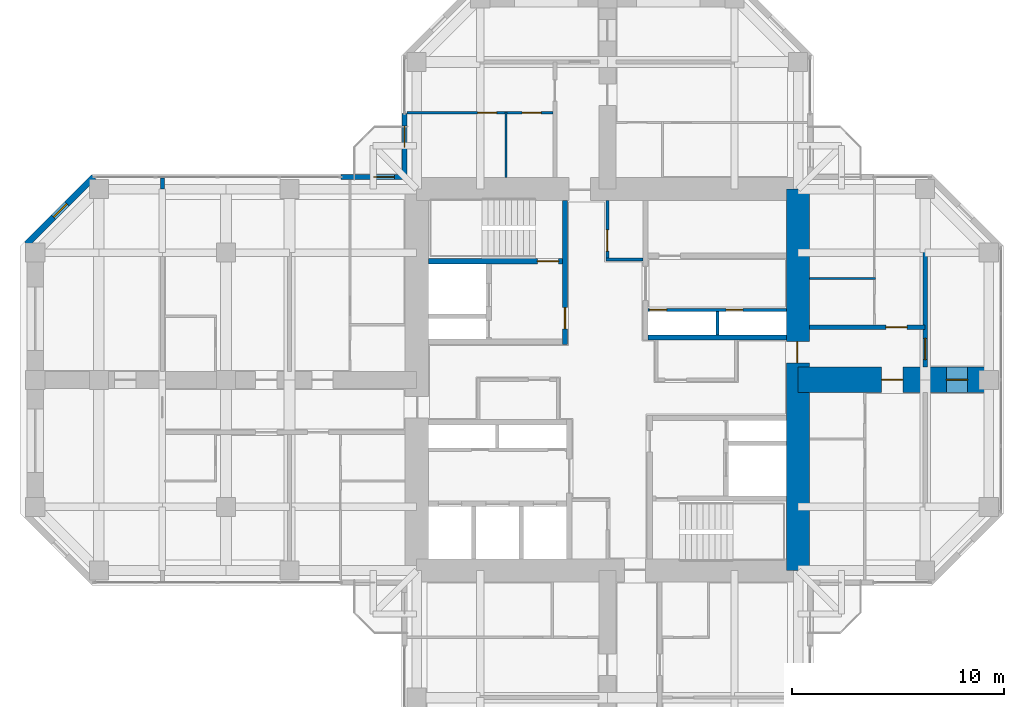
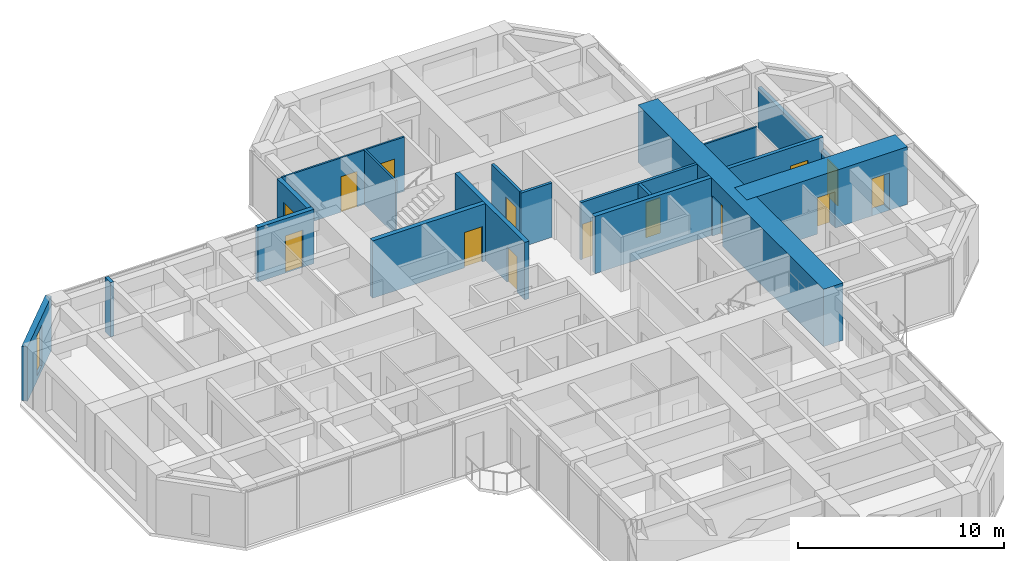
# One storey, part 11 of 14: 18 walls, 14 doors, 1 window, 15 openings.
"""IFC4 building model written with IfcOpenShell, lengths in metres."""

from ifc_helpers import new_model, si_unit, direction, frame, frame_2d, origin, place, context, subcontext, project, spatial, rectangle, hollow_rectangle, extrude, material, layer, layer_set, constituent, constituent_set, type_object, element, fill, save


model = new_model("IFC4")

# Units and contexts
model_context = context("Model", 3, precision=1e-05, world=origin(), true_north=direction((0.0, 1.0)))
body_context = subcontext(model_context, "Body", "Model", "MODEL_VIEW")
ifc_project = project(units=[si_unit("LENGTHUNIT", "METRE"), si_unit("AREAUNIT", "SQUARE_METRE"), si_unit("VOLUMEUNIT", "CUBIC_METRE"), si_unit("PLANEANGLEUNIT", "RADIAN"), si_unit("MASSUNIT", "GRAM", prefix="KILO")], contexts=[model_context])

# Site, building, storey
site_placement = place(None, origin())
site = spatial("IfcSite", under=ifc_project, at=site_placement, CompositionType="ELEMENT")
building_placement = place(site_placement, origin())
building = spatial("IfcBuilding", under=site, at=building_placement, Name="Torre Cruceta", CompositionType="ELEMENT")
storey_placement = place(building_placement, frame((0.0, 0.0, 179.699951171875)))
storey = spatial("IfcBuildingStorey", under=building, at=storey_placement, Name="L44", CompositionType="ELEMENT", Elevation=179.699951171875)

# Wall
ifc_material_1 = material(Name="Water-resistant plasterboard on steel studs", Category="steel")
ifc_layer_1 = layer(ifc_material_1, 0.10009765625)
ifc_layer_set_1 = layer_set([ifc_layer_1], Name="Water-resistant plasterboard on steel studs")
wall_type_1 = type_object("IfcWallType", Name="BATHROOM WALL 100", PredefinedType="PARTITIONING", material=ifc_layer_set_1)
wall_1_placement = place(storey_placement, frame((-4.77490234375, 9.550048828125, 0.0), z_axis=(0.0, 0.0, 1.0), x_axis=(0.0, 1.0, 0.0)))
element("IfcWall", 1, at=wall_1_placement, inside=storey, type_object=wall_type_1, Name="PT4 L44-N-U1LBB", PredefinedType="PARTITIONING", context=body_context, shape_type="SweptSolid", body=[
    extrude(rectangle(XDim=3.099853515625, YDim=0.10009765625, at=frame_2d((1.5498046875, 0.0))), origin(), (0.0, 0.0, 1.0), 3.219970703125),
])

# Wall, openings, doors
wall_2_placement = place(storey_placement, frame((-2.574951171875, 12.60009765625, 0.0), z_axis=(0.0, 0.0, 1.0), x_axis=(-1.0, 0.0, 0.0)))
wall_2 = element("IfcWall", 2, at=wall_2_placement, inside=storey, type_object=wall_type_1, Name="PT4 L44-N-U1LBS", PredefinedType="PARTITIONING", context=body_context, shape_type="SweptSolid", body=[
    extrude(rectangle(XDim=6.8701171875, YDim=0.10009765625, at=frame_2d((3.43505859375, 0.0))), origin(), (0.0, 0.0, 1.0), 3.219970703125),
])
opening_1_placement = place(wall_2_placement, frame((0.550048828125, 0.0, 0.0)))
opening_1 = element("IfcOpeningElement", 3, at=opening_1_placement, cuts=wall_2, Name="Opening D7", PredefinedType="OPENING", context=body_context, shape_type="SweptSolid", body=[
    extrude(rectangle(XDim=0.89990234375, YDim=2.10009765625, at=frame_2d((0.449951171875, 1.050048828125))), frame((0.0, 0.06005859375, 0.0), z_axis=(0.0, -1.0, 0.0), x_axis=(1.0, 0.0, 0.0)), (0.0, 0.0, 1.0), 0.1201171875),
])
opening_2_placement = place(wall_2_placement, frame((2.64990234375, 0.0, 0.0)))
opening_2 = element("IfcOpeningElement", 4, at=opening_2_placement, cuts=wall_2, Name="Opening D7", PredefinedType="OPENING", context=body_context, shape_type="SweptSolid", body=[
    extrude(rectangle(XDim=0.89990234375, YDim=2.10009765625, at=frame_2d((0.449951171875, 1.050048828125))), frame((0.0, 0.06005859375, 0.0), z_axis=(0.0, -1.0, 0.0), x_axis=(1.0, 0.0, 0.0)), (0.0, 0.0, 1.0), 0.1201171875),
])
ifc_material_2 = material(Name="Timber door", Category="wood")
door_type_1 = type_object("IfcDoorType", Name="BATHROOM DOOR 900X2100", OperationType="SINGLE_SWING_LEFT", PredefinedType="DOOR", material=ifc_material_2)
door_1_placement = place(opening_1_placement, origin())
door_1 = element("IfcDoor", 5, at=door_1_placement, inside=storey, type_object=door_type_1, Name="D7 L44-N-U1LBS-D1", OperationType="SINGLE_SWING_LEFT", OverallHeight=2.10009765625, OverallWidth=0.89990234375, PredefinedType="DOOR", context=body_context, shape_type="SweptSolid", body=[
    extrude(rectangle(XDim=0.89990234375, YDim=2.10009765625, at=frame_2d((0.449951171875, 1.050048828125))), frame((0.0, 0.02490234375, 0.0), z_axis=(0.0, -1.0, 0.0), x_axis=(1.0, 0.0, 0.0)), (0.0, 0.0, 1.0), 0.050048828125),
])
fill(opening_1, door_1)
door_2_placement = place(opening_2_placement, origin())
door_2 = element("IfcDoor", 6, at=door_2_placement, inside=storey, type_object=door_type_1, Name="D7 L44-N-U1LBS-D2", OperationType="SINGLE_SWING_LEFT", OverallHeight=2.10009765625, OverallWidth=0.89990234375, PredefinedType="DOOR", context=body_context, shape_type="SweptSolid", body=[
    extrude(rectangle(XDim=0.89990234375, YDim=2.10009765625, at=frame_2d((0.449951171875, 1.050048828125))), frame((0.0, 0.02490234375, 0.0), z_axis=(0.0, -1.0, 0.0), x_axis=(1.0, 0.0, 0.0)), (0.0, 0.0, 1.0), 0.050048828125),
])
fill(opening_2, door_2)

# Walls
wall_3_placement = place(storey_placement, frame((9.550048828125, 4.77490234375, 0.0), z_axis=(0.0, 0.0, 1.0), x_axis=(1.0, 0.0, 0.0)))
element("IfcWall", 7, at=wall_3_placement, inside=storey, type_object=wall_type_1, Name="PT4 L44-E-U1LBB", PredefinedType="PARTITIONING", context=body_context, shape_type="SweptSolid", body=[
    extrude(rectangle(XDim=3.099853515625, YDim=0.10009765625, at=frame_2d((1.5498046875, 0.0))), origin(), (0.0, 0.0, 1.0), 3.219970703125),
])
ifc_material_3 = material(Name="Concrete G60 (fck 60 MPa)", Category="concrete")
ifc_layer_2 = layer(ifc_material_3, 0.25)
ifc_layer_set_2 = layer_set([ifc_layer_2], Name="Concrete G60 (fck 60 MPa)")
wall_type_2 = type_object("IfcWallType", Name="CORE INNER WALL 250 G60", PredefinedType="SHEAR", material=ifc_layer_set_2)
wall_4_placement = place(storey_placement, frame((1.925048828125, 2.0, 0.0), z_axis=(0.0, 0.0, 1.0), x_axis=(1.0, 0.0, 0.0)))
element("IfcWall", 8, at=wall_4_placement, inside=storey, type_object=wall_type_2, Name="CW4 L44 NE-CV", PredefinedType="SHEAR", context=body_context, shape_type="SweptSolid", body=[
    extrude(rectangle(XDim=6.52490234375, YDim=0.25, at=frame_2d((3.262451171875, 0.0))), origin(), (0.0, 0.0, 1.0), 3.400146484375),
])

# Wall, opening, door
wall_5_placement = place(storey_placement, frame((-2.0, 1.675048828125, 0.0), z_axis=(0.0, 0.0, 1.0), x_axis=(0.0, 1.0, 0.0)))
wall_5 = element("IfcWall", 9, at=wall_5_placement, inside=storey, type_object=wall_type_2, Name="CW4 L44 NW-CU", PredefinedType="SHEAR", context=body_context, shape_type="SweptSolid", body=[
    extrude(rectangle(XDim=6.77490234375, YDim=0.25, at=frame_2d((3.387451171875, 0.0))), origin(), (0.0, 0.0, 1.0), 3.400146484375),
])
opening_3_placement = place(wall_5_placement, frame((0.72509765625, 0.0, 0.0)))
opening_3 = element("IfcOpeningElement", 10, at=opening_3_placement, cuts=wall_5, Name="Opening D3", PredefinedType="OPENING", context=body_context, shape_type="SweptSolid", body=[
    extrude(rectangle(XDim=1.0, YDim=2.10009765625, at=frame_2d((0.5, 1.050048828125))), frame((0.0, 0.135009765625, 0.0), z_axis=(0.0, -1.0, 0.0), x_axis=(1.0, 0.0, 0.0)), (0.0, 0.0, 1.0), 0.27001953125),
])
ifc_material_4 = material(Name="Steel DX51D", Category="steel")
ifc_constituent_1 = constituent(ifc_material_4, Name="Leaf and frame")
ifc_material_5 = material(Name="Polyester powder coating", Category="paint")
ifc_constituent_2 = constituent(ifc_material_5, Name="Finish")
ifc_constituent_set_1 = constituent_set(constituents=[ifc_constituent_1, ifc_constituent_2], Name="Steel fire door")
door_type_2 = type_object("IfcDoorType", Name="FIRE DOOR 1000X2100", OperationType="SINGLE_SWING_LEFT", PredefinedType="DOOR", material=ifc_constituent_set_1)
door_3_placement = place(opening_3_placement, origin())
door_3 = element("IfcDoor", 11, at=door_3_placement, inside=storey, type_object=door_type_2, Name="D3 L44 NW-LOBBY", OperationType="SINGLE_SWING_LEFT", OverallHeight=2.10009765625, OverallWidth=1.0, PredefinedType="DOOR", context=body_context, shape_type="SweptSolid", body=[
    extrude(rectangle(XDim=1.0, YDim=2.10009765625, at=frame_2d((0.5, 1.050048828125))), frame((0.0, 0.02490234375, 0.0), z_axis=(0.0, -1.0, 0.0), x_axis=(1.0, 0.0, 0.0)), (0.0, 0.0, 1.0), 0.050048828125),
])
fill(opening_3, door_3)

wall_6_placement = place(storey_placement, frame((-2.125, 5.60009765625, 0.0), z_axis=(0.0, 0.0, 1.0), x_axis=(-1.0, 0.0, 0.0)))
wall_6 = element("IfcWall", 12, at=wall_6_placement, inside=storey, type_object=wall_type_2, Name="CW4 L44 NW-SV", PredefinedType="SHEAR", context=body_context, shape_type="SweptSolid", body=[
    extrude(rectangle(XDim=6.324951171875, YDim=0.25, at=frame_2d((3.16259765625, 0.0))), origin(), (0.0, 0.0, 1.0), 3.400146484375),
])
opening_4_placement = place(wall_6_placement, frame((0.175048828125, 0.0, 0.0)))
opening_4 = element("IfcOpeningElement", 13, at=opening_4_placement, cuts=wall_6, Name="Opening D3", PredefinedType="OPENING", context=body_context, shape_type="SweptSolid", body=[
    extrude(rectangle(XDim=1.0, YDim=2.10009765625, at=frame_2d((0.5, 1.050048828125))), frame((0.0, 0.135009765625, 0.0), z_axis=(0.0, -1.0, 0.0), x_axis=(1.0, 0.0, 0.0)), (0.0, 0.0, 1.0), 0.27001953125),
])
door_4_placement = place(opening_4_placement, frame((1.0, 0.0, 0.0), z_axis=(0.0, 0.0, 1.0), x_axis=(-1.0, 0.0, 0.0)))
door_4 = element("IfcDoor", 14, at=door_4_placement, inside=storey, type_object=door_type_2, Name="D3 L44 NW-STAIR", OperationType="SINGLE_SWING_RIGHT", OverallHeight=2.10009765625, OverallWidth=1.0, PredefinedType="DOOR", context=body_context, shape_type="SweptSolid", body=[
    extrude(rectangle(XDim=1.0, YDim=2.10009765625, at=frame_2d((0.5, 1.050048828125))), frame((0.0, 0.025146484375, 0.0), z_axis=(0.0, -1.0, 0.0), x_axis=(1.0, 0.0, 0.0)), (0.0, 0.0, 1.0), 0.050048828125),
])
fill(opening_4, door_4)

ifc_material_6 = material(Name="Concrete G60 (fck 60 MPa)", Category="concrete")
ifc_layer_3 = layer(ifc_material_6, 1.10009765625)
ifc_layer_set_3 = layer_set([ifc_layer_3], Name="Concrete G60 (fck 60 MPa)")
wall_type_3 = type_object("IfcWallType", Name="CORE WALL 1100 G60", PredefinedType="SHEAR", material=ifc_layer_set_3)
wall_7_placement = place(storey_placement, frame((9.0, -9.0, 0.0), z_axis=(0.0, 0.0, 1.0), x_axis=(0.0, 1.0, 0.0)))
wall_7 = element("IfcWall", 15, at=wall_7_placement, inside=storey, type_object=wall_type_3, Name="CW2 L44 CW-E", PredefinedType="SHEAR", context=body_context, shape_type="SweptSolid", body=[
    extrude(rectangle(XDim=18.0, YDim=1.10009765625, at=frame_2d((9.0, 0.0))), origin(), (0.0, 0.0, 1.0), 3.400146484375),
])
opening_5_placement = place(wall_7_placement, frame((9.800048828125, 0.0, 0.0)))
opening_5 = element("IfcOpeningElement", 16, at=opening_5_placement, cuts=wall_7, Name="Opening D4", PredefinedType="OPENING", context=body_context, shape_type="SweptSolid", body=[
    extrude(rectangle(XDim=1.0, YDim=2.39990234375, at=frame_2d((0.5, 1.199951171875))), frame((0.0, 0.56005859375, 0.0), z_axis=(0.0, -1.0, 0.0), x_axis=(1.0, 0.0, 0.0)), (0.0, 0.0, 1.0), 1.1201171875),
])
ifc_material_7 = material(Name="Steel DX51D", Category="steel")
ifc_constituent_3 = constituent(ifc_material_7, Name="Leaf and frame")
ifc_material_8 = material(Name="Polyester powder coating", Category="paint")
ifc_constituent_4 = constituent(ifc_material_8, Name="Finish")
ifc_constituent_set_2 = constituent_set(constituents=[ifc_constituent_3, ifc_constituent_4], Name="Steel fire door")
door_type_3 = type_object("IfcDoorType", Name="CORE ARM DOOR 1000X2400", OperationType="SINGLE_SWING_RIGHT", PredefinedType="DOOR", material=ifc_constituent_set_2)
door_5_placement = place(opening_5_placement, origin())
door_5 = element("IfcDoor", 17, at=door_5_placement, inside=storey, type_object=door_type_3, Name="D4 L44 CW-E", OperationType="SINGLE_SWING_RIGHT", OverallHeight=2.39990234375, OverallWidth=1.0, PredefinedType="DOOR", context=body_context, shape_type="SweptSolid", body=[
    extrude(rectangle(XDim=1.0, YDim=2.39990234375, at=frame_2d((0.5, 1.199951171875))), frame((0.0, 0.05517578125, 0.0), z_axis=(0.0, -1.0, 0.0), x_axis=(1.0, 0.0, 0.0)), (0.0, 0.0, 1.0), 0.050048828125),
])
fill(opening_5, door_5)

ifc_material_9 = material(Name="Concrete G25 (fck 25 MPa)", Category="concrete")
ifc_layer_4 = layer(ifc_material_9, 0.199951171875)
ifc_layer_set_4 = layer_set([ifc_layer_4], Name="Concrete G25 (fck 25 MPa)")
wall_type_4 = type_object("IfcWallType", Name="CORRIDOR WALL 200", PredefinedType="SOLIDWALL", material=ifc_layer_set_4)
wall_8_placement = place(storey_placement, frame((9.550048828125, 2.47509765625, 0.0), z_axis=(0.0, 0.0, 1.0), x_axis=(1.0, 0.0, 0.0)))
wall_8 = element("IfcWall", 18, at=wall_8_placement, inside=storey, type_object=wall_type_4, Name="PT3 L44-E-CL", PredefinedType="SOLIDWALL", context=body_context, shape_type="SweptSolid", body=[
    extrude(rectangle(XDim=5.449951171875, YDim=0.199951171875, at=frame_2d((2.72509765625, 0.0))), origin(), (0.0, 0.0, 1.0), 3.219970703125),
])
opening_6_placement = place(wall_8_placement, frame((3.60009765625, 0.0, 0.0)))
opening_6 = element("IfcOpeningElement", 19, at=opening_6_placement, cuts=wall_8, Name="Opening D6", PredefinedType="OPENING", context=body_context, shape_type="SweptSolid", body=[
    extrude(rectangle(XDim=1.0, YDim=2.14990234375, at=frame_2d((0.5, 1.074951171875))), frame((0.0, 0.10986328125, 0.0), z_axis=(0.0, -1.0, 0.0), x_axis=(1.0, 0.0, 0.0)), (0.0, 0.0, 1.0), 0.219970703125),
])
ifc_material_10 = material(Name="Timber fire door", Category="wood")
door_type_4 = type_object("IfcDoorType", Name="UNIT ENTRANCE DOOR 1000X2150", OperationType="SINGLE_SWING_LEFT", PredefinedType="DOOR", material=ifc_material_10)
door_6_placement = place(opening_6_placement, origin())
door_6 = element("IfcDoor", 20, at=door_6_placement, inside=storey, type_object=door_type_4, Name="D6 L44-E-CL-D1", OperationType="SINGLE_SWING_LEFT", OverallHeight=2.14990234375, OverallWidth=1.0, PredefinedType="DOOR", context=body_context, shape_type="SweptSolid", body=[
    extrude(rectangle(XDim=1.0, YDim=2.14990234375, at=frame_2d((0.5, 1.074951171875))), frame((0.0, 0.02490234375, 0.0), z_axis=(0.0, -1.0, 0.0), x_axis=(1.0, 0.0, 0.0)), (0.0, 0.0, 1.0), 0.050048828125),
])
fill(opening_6, door_6)

# Wall, opening, window
ifc_material_11 = material(Name="Concrete G30 (fck 30 MPa)", Category="concrete")
ifc_layer_5 = layer(ifc_material_11, 0.300048828125)
ifc_layer_set_5 = layer_set([ifc_layer_5], Name="Concrete G30 (fck 30 MPa)")
wall_type_5 = type_object("IfcWallType", Name="EXPOSED CONCRETE FACADE WALL 300", PredefinedType="SOLIDWALL", material=ifc_layer_set_5)
wall_9_placement = place(storey_placement, frame((-24.236083984375, 9.570068359375, 0.0), z_axis=(0.0, 0.0, 1.0), x_axis=(-0.707079499254, -0.707134062067, 0.0)))
wall_9 = element("IfcWall", 21, at=wall_9_placement, inside=storey, type_object=wall_type_5, Name="EW1 facade wall L44 W chamfer 11", PredefinedType="SOLIDWALL", context=body_context, shape_type="SweptSolid", body=[
    extrude(rectangle(XDim=4.474609375, YDim=0.300048828125, at=frame_2d((2.2373046875, 0.0))), origin(), (0.0, 0.0, 1.0), 3.219970703125),
])
opening_7_placement = place(wall_9_placement, frame((1.787109375, 0.0, 0.300048828125)))
opening_7 = element("IfcOpeningElement", 22, at=opening_7_placement, cuts=wall_9, Name="Opening WN5", PredefinedType="OPENING", context=body_context, shape_type="SweptSolid", body=[
    extrude(rectangle(XDim=0.89990234375, YDim=2.39990234375, at=frame_2d((0.449951171875, 1.199951171875))), frame((0.0, 0.159912109375, 0.0), z_axis=(0.0, -1.0, 0.0), x_axis=(1.0, 0.0, 0.0)), (0.0, 0.0, 1.0), 0.320068359375),
])
ifc_material_12 = material(Name="Aluminium window frame", Category="aluminium")
ifc_constituent_5 = constituent(ifc_material_12, Name="Frame")
ifc_material_13 = material(Name="Laminated insulating glass unit, low-iron clear", Category="glass")
ifc_constituent_6 = constituent(ifc_material_13, Name="Glazing")
ifc_constituent_set_3 = constituent_set(constituents=[ifc_constituent_5, ifc_constituent_6], Name="Aluminium window")
window_type = type_object("IfcWindowType", Name="CHAMFER SLOT WINDOW 900X2400", PartitioningType="SINGLE_PANEL", PredefinedType="WINDOW", material=ifc_constituent_set_3)
window_placement = place(opening_7_placement, origin())
window = element("IfcWindow", 23, at=window_placement, inside=storey, type_object=window_type, Name="WN5 L44 W 1", OverallHeight=2.39990234375, OverallWidth=0.89990234375, PartitioningType="SINGLE_PANEL", PredefinedType="WINDOW", context=body_context, shape_type="SweptSolid", body=[
    extrude(hollow_rectangle(XDim=0.89990234375, YDim=2.39990234375, WallThickness=0.06005859375, at=frame_2d((0.449951171875, 1.199951171875))), frame((0.0, 0.030029296875, 0.0), z_axis=(0.0, -1.0, 0.0), x_axis=(1.0, 0.0, 0.0)), (0.0, 0.0, 1.0), 0.06005859375),
    extrude(rectangle(XDim=0.77880859375, YDim=2.27880859375, at=frame_2d((0.449951171875, 1.199951171875))), frame((0.0, 0.030029296875, 0.0), z_axis=(0.0, -1.0, 0.0), x_axis=(1.0, 0.0, 0.0)), (0.0, 0.0, 1.0), 0.06005859375),
])
fill(opening_7, window)

# Wall, opening, door
ifc_material_14 = material(Name="Plasterboard on steel studs", Category="steel")
ifc_layer_6 = layer(ifc_material_14, 0.14990234375)
ifc_layer_set_6 = layer_set([ifc_layer_6], Name="Plasterboard on steel studs")
wall_type_6 = type_object("IfcWallType", Name="PARTITION 150", PredefinedType="PARTITIONING", material=ifc_layer_set_6)
wall_10_placement = place(storey_placement, frame((0.0, 5.675048828125, 0.0), z_axis=(0.0, 0.0, 1.0), x_axis=(0.0, 1.0, 0.0)))
wall_10 = element("IfcWall", 24, at=wall_10_placement, inside=storey, type_object=wall_type_6, Name="PT1 L44-CORE-LEGN-E-W1", PredefinedType="PARTITIONING", context=body_context, shape_type="SweptSolid", body=[
    extrude(rectangle(XDim=2.77490234375, YDim=0.14990234375, at=frame_2d((1.387451171875, 0.0))), origin(), (0.0, 0.0, 1.0), 3.219970703125),
])
opening_8_placement = place(wall_10_placement, frame((0.39990234375, 0.0, 0.0)))
opening_8 = element("IfcOpeningElement", 25, at=opening_8_placement, cuts=wall_10, Name="Opening D3", PredefinedType="OPENING", context=body_context, shape_type="SweptSolid", body=[
    extrude(rectangle(XDim=1.0, YDim=2.10009765625, at=frame_2d((0.5, 1.050048828125))), frame((0.0, 0.0849609375, 0.0), z_axis=(0.0, -1.0, 0.0), x_axis=(1.0, 0.0, 0.0)), (0.0, 0.0, 1.0), 0.169921875),
])
door_7_placement = place(opening_8_placement, frame((1.0, 0.0, 0.0), z_axis=(0.0, 0.0, 1.0), x_axis=(-1.0, 0.0, 0.0)))
door_7 = element("IfcDoor", 26, at=door_7_placement, inside=storey, type_object=door_type_2, Name="D3 L44-CORE-LEGN-E-W1-D1", OperationType="SINGLE_SWING_RIGHT", OverallHeight=2.10009765625, OverallWidth=1.0, PredefinedType="DOOR", context=body_context, shape_type="SweptSolid", body=[
    extrude(rectangle(XDim=1.0, YDim=2.10009765625, at=frame_2d((0.5, 1.050048828125))), frame((0.0, 0.025146484375, 0.0), z_axis=(0.0, -1.0, 0.0), x_axis=(1.0, 0.0, 0.0)), (0.0, 0.0, 1.0), 0.050048828125),
])
fill(opening_8, door_7)

# Wall
wall_11_placement = place(storey_placement, frame((1.675048828125, 5.675048828125, 0.0), z_axis=(0.0, 0.0, 1.0), x_axis=(-1.0, 0.0, 0.0)))
element("IfcWall", 27, at=wall_11_placement, inside=storey, type_object=wall_type_6, Name="PT1 L44-CORE-LEGN-E-W2", PredefinedType="PARTITIONING", context=body_context, shape_type="SweptSolid", body=[
    extrude(rectangle(XDim=1.75, YDim=0.14990234375, at=frame_2d((0.875, 0.0))), origin(), (0.0, 0.0, 1.0), 3.219970703125),
])

# Wall, openings, doors
ifc_material_15 = material(Name="Concrete block masonry", Category="masonry")
ifc_layer_7 = layer(ifc_material_15, 0.14990234375)
ifc_layer_set_7 = layer_set([ifc_layer_7], Name="Concrete block masonry")
wall_type_7 = type_object("IfcWallType", Name="RISER WALL 150", PredefinedType="PARTITIONING", material=ifc_layer_set_7)
wall_12_placement = place(storey_placement, frame((1.925048828125, 3.300048828125, 0.0), z_axis=(0.0, 0.0, 1.0), x_axis=(1.0, 0.0, 0.0)))
wall_12 = element("IfcWall", 28, at=wall_12_placement, inside=storey, type_object=wall_type_7, Name="SW7 L44 NE-RV", PredefinedType="PARTITIONING", context=body_context, shape_type="SweptSolid", body=[
    extrude(rectangle(XDim=6.52490234375, YDim=0.14990234375, at=frame_2d((3.262451171875, 0.0))), origin(), (0.0, 0.0, 1.0), 3.400146484375),
])
opening_9_placement = place(wall_12_placement, frame((0.074951171875, 0.0, 0.0)))
opening_9 = element("IfcOpeningElement", 29, at=opening_9_placement, cuts=wall_12, Name="Opening D5", PredefinedType="OPENING", context=body_context, shape_type="SweptSolid", body=[
    extrude(rectangle(XDim=0.800048828125, YDim=2.10009765625, at=frame_2d((0.39990234375, 1.050048828125))), frame((0.0, 0.0849609375, 0.0), z_axis=(0.0, -1.0, 0.0), x_axis=(1.0, 0.0, 0.0)), (0.0, 0.0, 1.0), 0.169921875),
])
opening_10_placement = place(wall_12_placement, frame((3.675048828125, 0.0, 0.0)))
opening_10 = element("IfcOpeningElement", 30, at=opening_10_placement, cuts=wall_12, Name="Opening D5", PredefinedType="OPENING", context=body_context, shape_type="SweptSolid", body=[
    extrude(rectangle(XDim=0.800048828125, YDim=2.10009765625, at=frame_2d((0.39990234375, 1.050048828125))), frame((0.0, 0.0849609375, 0.0), z_axis=(0.0, -1.0, 0.0), x_axis=(1.0, 0.0, 0.0)), (0.0, 0.0, 1.0), 0.169921875),
])
ifc_material_16 = material(Name="Steel DX51D", Category="steel")
ifc_constituent_7 = constituent(ifc_material_16, Name="Leaf and frame")
ifc_material_17 = material(Name="Polyester powder coating", Category="paint")
ifc_constituent_8 = constituent(ifc_material_17, Name="Finish")
ifc_constituent_set_4 = constituent_set(constituents=[ifc_constituent_7, ifc_constituent_8], Name="Steel fire door")
door_type_5 = type_object("IfcDoorType", Name="RISER ACCESS DOOR 800X2100", OperationType="SINGLE_SWING_LEFT", PredefinedType="DOOR", material=ifc_constituent_set_4)
door_8_placement = place(opening_9_placement, frame((0.800048828125, 0.0, 0.0), z_axis=(0.0, 0.0, 1.0), x_axis=(-1.0, 0.0, 0.0)))
door_8 = element("IfcDoor", 31, at=door_8_placement, inside=storey, type_object=door_type_5, Name="D5 L44 NE-RISER1", OperationType="SINGLE_SWING_RIGHT", OverallHeight=2.10009765625, OverallWidth=0.800048828125, PredefinedType="DOOR", context=body_context, shape_type="SweptSolid", body=[
    extrude(rectangle(XDim=0.800048828125, YDim=2.10009765625, at=frame_2d((0.400146484375, 1.050048828125))), frame((0.0, 0.025146484375, 0.0), z_axis=(0.0, -1.0, 0.0), x_axis=(1.0, 0.0, 0.0)), (0.0, 0.0, 1.0), 0.050048828125),
])
fill(opening_9, door_8)
door_9_placement = place(opening_10_placement, frame((0.800048828125, 0.0, 0.0), z_axis=(0.0, 0.0, 1.0), x_axis=(-1.0, 0.0, 0.0)))
door_9 = element("IfcDoor", 32, at=door_9_placement, inside=storey, type_object=door_type_5, Name="D5 L44 NE-RISER2", OperationType="SINGLE_SWING_RIGHT", OverallHeight=2.10009765625, OverallWidth=0.800048828125, PredefinedType="DOOR", context=body_context, shape_type="SweptSolid", body=[
    extrude(rectangle(XDim=0.800048828125, YDim=2.10009765625, at=frame_2d((0.400146484375, 1.050048828125))), frame((0.0, 0.025146484375, 0.0), z_axis=(0.0, -1.0, 0.0), x_axis=(1.0, 0.0, 0.0)), (0.0, 0.0, 1.0), 0.050048828125),
])
fill(opening_10, door_9)

# Wall
wall_13_placement = place(storey_placement, frame((5.199951171875, 2.125, 0.0), z_axis=(0.0, 0.0, 1.0), x_axis=(0.0, 1.0, 0.0)))
element("IfcWall", 33, at=wall_13_placement, inside=storey, type_object=wall_type_7, Name="SW7 L44 NE-RU", PredefinedType="PARTITIONING", context=body_context, shape_type="SweptSolid", body=[
    extrude(rectangle(XDim=1.10009765625, YDim=0.14990234375, at=frame_2d((0.550048828125, 0.0))), origin(), (0.0, 0.0, 1.0), 3.400146484375),
])

# Wall, openings, doors
ifc_material_18 = material(Name="Concrete G60 (fck 60 MPa)", Category="concrete")
ifc_layer_8 = layer(ifc_material_18, 1.199951171875)
ifc_layer_set_8 = layer_set([ifc_layer_8], Name="Concrete G60 (fck 60 MPa)")
wall_type_8 = type_object("IfcWallType", Name="SPINE WALL 1200 G60", PredefinedType="SHEAR", material=ifc_layer_set_8)
wall_14_placement = place(storey_placement, frame((9.0, 0.0, 0.0), z_axis=(0.0, 0.0, 1.0), x_axis=(1.0, 0.0, 0.0)))
wall_14 = element("IfcWall", 34, at=wall_14_placement, inside=storey, type_object=wall_type_8, Name="SW3 spine wall L44 E", PredefinedType="SHEAR", context=body_context, shape_type="SweptSolid", body=[
    extrude(rectangle(XDim=9.0, YDim=1.199951171875, at=frame_2d((4.5, 0.0))), origin(), (0.0, 0.0, 1.0), 3.400146484375),
])
opening_11_placement = place(wall_14_placement, frame((3.949951171875, 0.0, 0.0)))
opening_11 = element("IfcOpeningElement", 35, at=opening_11_placement, cuts=wall_14, Name="Opening D6", PredefinedType="OPENING", context=body_context, shape_type="SweptSolid", body=[
    extrude(rectangle(XDim=1.0, YDim=2.14990234375, at=frame_2d((0.5, 1.074951171875))), frame((0.0, 0.60986328125, 0.0), z_axis=(0.0, -1.0, 0.0), x_axis=(1.0, 0.0, 0.0)), (0.0, 0.0, 1.0), 1.219970703125),
])
opening_12_placement = place(wall_14_placement, frame((7.0, 0.0, 0.0)))
opening_12 = element("IfcOpeningElement", 36, at=opening_12_placement, cuts=wall_14, Name="Opening D14", PredefinedType="OPENING", context=body_context, shape_type="SweptSolid", body=[
    extrude(rectangle(XDim=1.0, YDim=2.199951171875, at=frame_2d((0.5, 1.10009765625))), frame((0.0, 0.60986328125, 0.0), z_axis=(0.0, -1.0, 0.0), x_axis=(1.0, 0.0, 0.0)), (0.0, 0.0, 1.0), 1.219970703125),
])
ifc_material_19 = material(Name="Steel DX51D", Category="steel")
ifc_constituent_9 = constituent(ifc_material_19, Name="Leaf and frame")
ifc_material_20 = material(Name="Polyester powder coating", Category="paint")
ifc_constituent_10 = constituent(ifc_material_20, Name="Finish")
ifc_material_21 = material(Name="Fire-resisting glass", Category="glass")
ifc_constituent_11 = constituent(ifc_material_21, Name="Vision panel")
ifc_constituent_set_5 = constituent_set(constituents=[ifc_constituent_9, ifc_constituent_10, ifc_constituent_11], Name="Steel fire door with vision panel")
door_type_6 = type_object("IfcDoorType", Name="FIRE DOOR VISION PANEL 1000X2200", OperationType="SINGLE_SWING_RIGHT", PredefinedType="DOOR", material=ifc_constituent_set_5)
door_10_placement = place(opening_12_placement, origin())
door_10 = element("IfcDoor", 37, at=door_10_placement, inside=storey, type_object=door_type_6, Name="D14 L44-E-SP2", OperationType="SINGLE_SWING_LEFT", OverallHeight=2.199951171875, OverallWidth=1.0, PredefinedType="DOOR", context=body_context, shape_type="SweptSolid", body=[
    extrude(rectangle(XDim=1.0, YDim=2.199951171875, at=frame_2d((0.5, 1.10009765625))), frame((0.0, 0.02490234375, 0.0), z_axis=(0.0, -1.0, 0.0), x_axis=(1.0, 0.0, 0.0)), (0.0, 0.0, 1.0), 0.050048828125),
])
fill(opening_12, door_10)
door_11_placement = place(opening_11_placement, frame((1.0, 0.0, 0.0), z_axis=(0.0, 0.0, 1.0), x_axis=(-1.0, 0.0, 0.0)))
door_11 = element("IfcDoor", 38, at=door_11_placement, inside=storey, type_object=door_type_4, Name="D6 L44-E-SP1", OperationType="SINGLE_SWING_RIGHT", OverallHeight=2.14990234375, OverallWidth=1.0, PredefinedType="DOOR", context=body_context, shape_type="SweptSolid", body=[
    extrude(rectangle(XDim=1.0, YDim=2.14990234375, at=frame_2d((0.5, 1.074951171875))), frame((0.0, 0.025146484375, 0.0), z_axis=(0.0, -1.0, 0.0), x_axis=(1.0, 0.0, 0.0)), (0.0, 0.0, 1.0), 0.050048828125),
])
fill(opening_11, door_11)

# Wall, opening, door
ifc_material_22 = material(Name="Concrete G25 (fck 25 MPa)", Category="concrete")
ifc_layer_9 = layer(ifc_material_22, 0.199951171875)
ifc_layer_set_9 = layer_set([ifc_layer_9], Name="Concrete G25 (fck 25 MPa)")
wall_type_9 = type_object("IfcWallType", Name="UNIT SEPARATING WALL 200", PredefinedType="SOLIDWALL", material=ifc_layer_set_9)
wall_15_placement = place(storey_placement, frame((15.0, 0.60009765625, 0.0), z_axis=(0.0, 0.0, 1.0), x_axis=(0.0, 1.0, 0.0)))
wall_15 = element("IfcWall", 39, at=wall_15_placement, inside=storey, type_object=wall_type_9, Name="PT2 L44-E-ENDb", PredefinedType="SOLIDWALL", context=body_context, shape_type="SweptSolid", body=[
    extrude(rectangle(XDim=7.949951171875, YDim=0.199951171875, at=frame_2d((3.97509765625, 0.0))), origin(), (0.0, 0.0, 1.0), 2.469970703125),
])
opening_13_placement = place(wall_15_placement, frame((0.35009765625, 0.0, 0.0)))
opening_13 = element("IfcOpeningElement", 40, at=opening_13_placement, cuts=wall_15, Name="Opening D14", PredefinedType="OPENING", context=body_context, shape_type="SweptSolid", body=[
    extrude(rectangle(XDim=1.0, YDim=2.199951171875, at=frame_2d((0.5, 1.10009765625))), frame((0.0, 0.10986328125, 0.0), z_axis=(0.0, -1.0, 0.0), x_axis=(1.0, 0.0, 0.0)), (0.0, 0.0, 1.0), 0.219970703125),
])
door_12_placement = place(opening_13_placement, frame((1.0, 0.0, 0.0), z_axis=(0.0, 0.0, 1.0), x_axis=(-1.0, 0.0, 0.0)))
door_12 = element("IfcDoor", 41, at=door_12_placement, inside=storey, type_object=door_type_6, Name="D14 L44-E-ENDb-D1", OperationType="SINGLE_SWING_LEFT", OverallHeight=2.199951171875, OverallWidth=1.0, PredefinedType="DOOR", context=body_context, shape_type="SweptSolid", body=[
    extrude(rectangle(XDim=1.0, YDim=2.199951171875, at=frame_2d((0.5, 1.10009765625))), frame((0.0, 0.025146484375, 0.0), z_axis=(0.0, -1.0, 0.0), x_axis=(1.0, 0.0, 0.0)), (0.0, 0.0, 1.0), 0.050048828125),
])
fill(opening_13, door_12)

# Wall
wall_16_placement = place(storey_placement, frame((-21.0, 9.530029296875, 0.0), z_axis=(0.0, 0.0, 1.0), x_axis=(0.0, -1.0, 0.0)))
element("IfcWall", 42, at=wall_16_placement, inside=storey, type_object=wall_type_9, Name="PT2 L44-W-ENDa", PredefinedType="SOLIDWALL", context=body_context, shape_type="SweptSolid", body=[
    extrude(rectangle(XDim=0.530029296875, YDim=0.199951171875, at=frame_2d((0.26513671875, 0.0))), origin(), (0.0, 0.0, 1.0), 3.219970703125),
])

# Wall, opening, door
ifc_material_23 = material(Name="Concrete G30 (fck 30 MPa)", Category="concrete")
ifc_layer_10 = layer(ifc_material_23, 0.25)
ifc_layer_set_10 = layer_set([ifc_layer_10], Name="Concrete G30 (fck 30 MPa)")
wall_type_10 = type_object("IfcWallType", Name="WINTER GARDEN WALL 250", PredefinedType="SOLIDWALL", material=ifc_layer_set_10)
wall_17_placement = place(storey_placement, frame((-9.570068359375, 12.570068359375, 0.0), z_axis=(0.0, 0.0, 1.0), x_axis=(0.0, -1.0, 0.0)))
wall_17 = element("IfcWall", 43, at=wall_17_placement, inside=storey, type_object=wall_type_10, Name="EW2 winter garden wall L44 09", PredefinedType="SOLIDWALL", context=body_context, shape_type="SweptSolid", body=[
    extrude(rectangle(XDim=2.875, YDim=0.25, at=frame_2d((1.4375, 0.0))), origin(), (0.0, 0.0, 1.0), 3.219970703125),
])
opening_14_placement = place(wall_17_placement, frame((0.60009765625, 0.0, 0.0)))
opening_14 = element("IfcOpeningElement", 44, at=opening_14_placement, cuts=wall_17, Name="Opening D10", PredefinedType="OPENING", context=body_context, shape_type="SweptSolid", body=[
    extrude(rectangle(XDim=1.0, YDim=2.199951171875, at=frame_2d((0.5, 1.10009765625))), frame((0.0, 0.135009765625, 0.0), z_axis=(0.0, -1.0, 0.0), x_axis=(1.0, 0.0, 0.0)), (0.0, 0.0, 1.0), 0.27001953125),
])
ifc_material_24 = material(Name="Aluminium door frame", Category="aluminium")
ifc_constituent_12 = constituent(ifc_material_24, Name="Frame")
ifc_material_25 = material(Name="Laminated safety glass", Category="glass")
ifc_constituent_13 = constituent(ifc_material_25, Name="Glazing")
ifc_constituent_set_6 = constituent_set(constituents=[ifc_constituent_12, ifc_constituent_13], Name="Aluminium glazed door")
door_type_7 = type_object("IfcDoorType", Name="BALCONY DOOR 1000X2200", OperationType="SINGLE_SWING_RIGHT", PredefinedType="DOOR", material=ifc_constituent_set_6)
door_13_placement = place(opening_14_placement, origin())
door_13 = element("IfcDoor", 45, at=door_13_placement, inside=storey, type_object=door_type_7, Name="D10 balcony door L44 09", OperationType="SINGLE_SWING_LEFT", OverallHeight=2.199951171875, OverallWidth=1.0, PredefinedType="DOOR", context=body_context, shape_type="SweptSolid", body=[
    extrude(hollow_rectangle(XDim=1.0, YDim=2.199951171875, WallThickness=0.06005859375, at=frame_2d((0.5, 1.10009765625))), frame((0.0, 0.02490234375, 0.0), z_axis=(0.0, -1.0, 0.0), x_axis=(1.0, 0.0, 0.0)), (0.0, 0.0, 1.0), 0.050048828125),
    extrude(rectangle(XDim=0.87890625, YDim=2.078857421875, at=frame_2d((0.5, 1.10009765625))), frame((0.0, 0.02490234375, 0.0), z_axis=(0.0, -1.0, 0.0), x_axis=(1.0, 0.0, 0.0)), (0.0, 0.0, 1.0), 0.050048828125),
])
fill(opening_14, door_13)

wall_18_placement = place(storey_placement, frame((-9.445068359375, 9.570068359375, 0.0), z_axis=(0.0, 0.0, 1.0), x_axis=(-1.0, 0.0, 0.0)))
wall_18 = element("IfcWall", 46, at=wall_18_placement, inside=storey, type_object=wall_type_10, Name="EW2 winter garden wall L44 10", PredefinedType="SOLIDWALL", context=body_context, shape_type="SweptSolid", body=[
    extrude(rectangle(XDim=3.125, YDim=0.25, at=frame_2d((1.5625, 0.0))), origin(), (0.0, 0.0, 1.0), 3.219970703125),
])
opening_15_placement = place(wall_18_placement, frame((0.60009765625, 0.0, 0.0)))
opening_15 = element("IfcOpeningElement", 47, at=opening_15_placement, cuts=wall_18, Name="Opening D10", PredefinedType="OPENING", context=body_context, shape_type="SweptSolid", body=[
    extrude(rectangle(XDim=1.0, YDim=2.199951171875, at=frame_2d((0.5, 1.10009765625))), frame((0.0, 0.135009765625, 0.0), z_axis=(0.0, -1.0, 0.0), x_axis=(1.0, 0.0, 0.0)), (0.0, 0.0, 1.0), 0.27001953125),
])
door_14_placement = place(opening_15_placement, origin())
door_14 = element("IfcDoor", 48, at=door_14_placement, inside=storey, type_object=door_type_7, Name="D10 balcony door L44 10", OperationType="SINGLE_SWING_LEFT", OverallHeight=2.199951171875, OverallWidth=1.0, PredefinedType="DOOR", context=body_context, shape_type="SweptSolid", body=[
    extrude(hollow_rectangle(XDim=1.0, YDim=2.199951171875, WallThickness=0.06005859375, at=frame_2d((0.5, 1.10009765625))), frame((0.0, 0.02490234375, 0.0), z_axis=(0.0, -1.0, 0.0), x_axis=(1.0, 0.0, 0.0)), (0.0, 0.0, 1.0), 0.050048828125),
    extrude(rectangle(XDim=0.87890625, YDim=2.078857421875, at=frame_2d((0.5, 1.10009765625))), frame((0.0, 0.02490234375, 0.0), z_axis=(0.0, -1.0, 0.0), x_axis=(1.0, 0.0, 0.0)), (0.0, 0.0, 1.0), 0.050048828125),
])
fill(opening_15, door_14)

save(model, "model.ifc")
